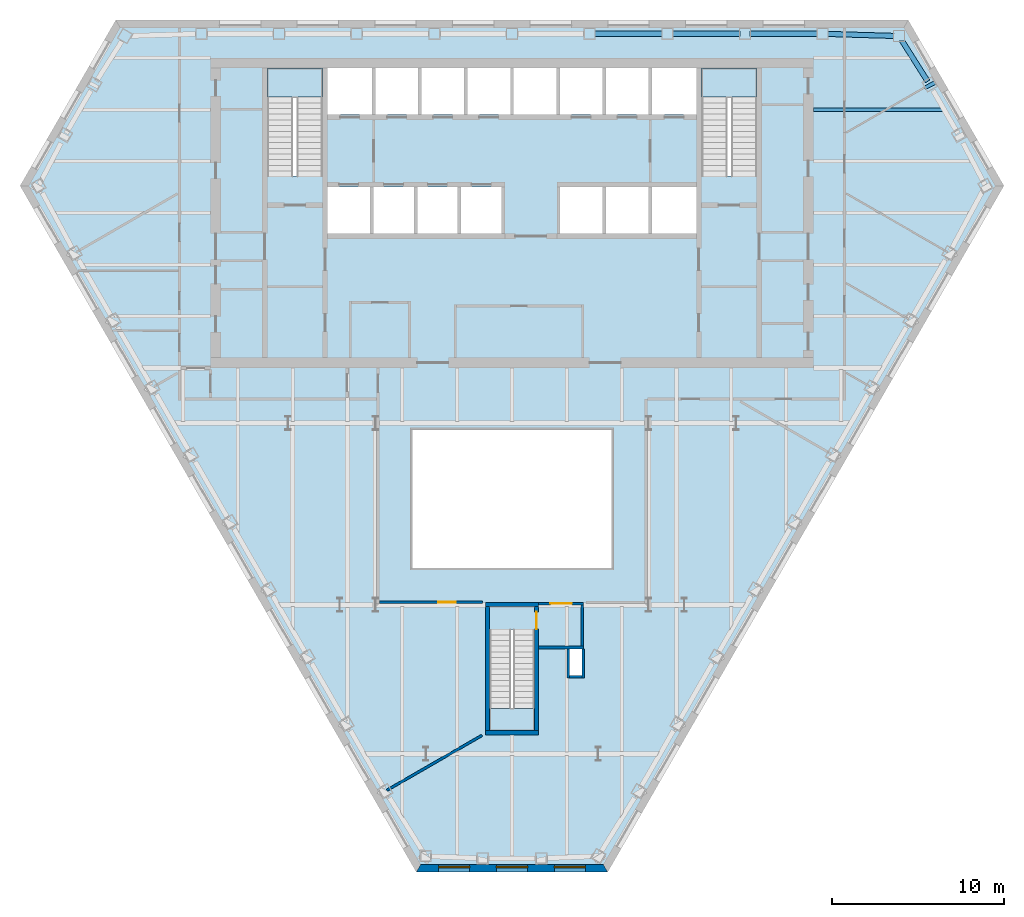
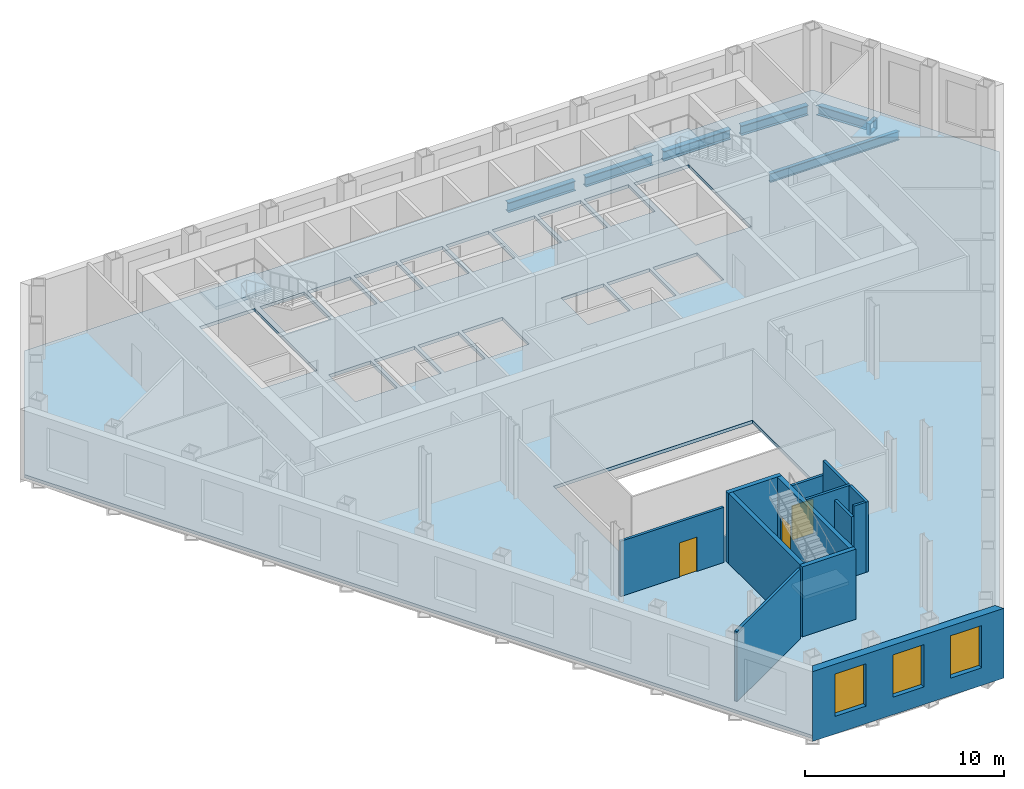
# One storey, part 4 of 12: 13 walls, 7 beams, 4 slabs, 3 doors, 3 windows, 6 openings, 3 elements without a shape of their own.
"""IFC4 building model written with IfcOpenShell, lengths in metres."""

from ifc_helpers import new_model, si_unit, direction, frame, frame_2d, origin, origin_2d, place, context, subcontext, project, spatial, polyline, rectangle, hollow_rectangle, i_section, outline, extrude, clip, halfspace, material, layer, layer_set, material_profile, profile_set, type_object, element, fill, aggregate, save


model = new_model("IFC4")

# Units and contexts
model_context = context("Model", 3, precision=1e-05, world=origin(), true_north=direction((0.0, 1.0)))
body_context = subcontext(model_context, "Body", "Model", "MODEL_VIEW")
ifc_project = project(units=[si_unit("LENGTHUNIT", "METRE"), si_unit("AREAUNIT", "SQUARE_METRE"), si_unit("VOLUMEUNIT", "CUBIC_METRE"), si_unit("PLANEANGLEUNIT", "RADIAN"), si_unit("MASSUNIT", "GRAM", prefix="KILO")], contexts=[model_context])

# Site, building, storey
site_placement = place(None, origin())
site = spatial("IfcSite", under=ifc_project, at=site_placement, CompositionType="ELEMENT")
building_placement = place(site_placement, origin())
building = spatial("IfcBuilding", under=site, at=building_placement, Name="Njiva Tower", CompositionType="ELEMENT")
storey_placement = place(building_placement, frame((0.0, 0.0, 60.3)))
storey = spatial("IfcBuildingStorey", under=building, at=storey_placement, Name="L12", CompositionType="ELEMENT", Elevation=60.3)

# Beams
ifc_material_1 = material(Name="Steel S355 J2", Category="steel")
ifc_material_profile_1 = material_profile(ifc_material_1, i_section(OverallWidth=0.21, OverallDepth=0.55, WebThickness=0.0111, FlangeThickness=0.0172, at=origin_2d()), Name="IPE 550")
ifc_profile_set_1 = profile_set([ifc_material_profile_1], Name="Steel S355 J2")
beam_type_1 = type_object("IfcBeamType", Name="B10 Floor beam to the core IPE 550", PredefinedType="BEAM", material=ifc_profile_set_1)
beam_1_placement = place(storey_placement, frame((17.5, 15.0, -0.475), z_axis=(1.0, 0.0, 0.0), x_axis=(0.0, 1.0, 0.0)))
element("IfcBeam", 1, at=beam_1_placement, inside=storey, type_object=beam_type_1, Name="Floor beam to the core S04-B013", PredefinedType="BEAM", context=body_context, shape_type="Clipping", body=[
    clip(extrude(i_section(OverallWidth=0.21, OverallDepth=0.55, WebThickness=0.0111, FlangeThickness=0.0172, at=origin_2d()), origin(), (0.0, 0.0, 1.0), 7.549), halfspace(frame((0.025, 0.0, 7.4536), z_axis=(0.499998009787, 0.0, 0.866026552831), x_axis=(0.0, 1.0, 0.0)), False)),
])
ifc_material_profile_2 = material_profile(ifc_material_1, hollow_rectangle(XDim=0.7, YDim=0.7, WallThickness=0.08, at=origin_2d()), Name="BOX 700x700x80")
ifc_profile_set_2 = profile_set([ifc_material_profile_2], Name="Steel S355 J2")
beam_type_2 = type_object("IfcBeamType", Name="B19 Column jog beam BOX 700x700x80", PredefinedType="BEAM", material=ifc_profile_set_2)
beam_2_placement = place(storey_placement, frame((24.314, 16.32, -0.55), z_axis=(-0.465556443954, 0.885018190487, 0.0), x_axis=(-0.885018190487, -0.465556443954, 0.0)))
element("IfcBeam", 2, at=beam_2_placement, inside=storey, type_object=beam_type_2, Name="Column jog beam S04-B056", PredefinedType="BEAM", context=body_context, shape_type="SweptSolid", body=[
    extrude(hollow_rectangle(XDim=0.7, YDim=0.7, WallThickness=0.08, at=origin_2d()), origin(), (0.0, 0.0, 1.0), 0.2169),
])
ifc_material_profile_3 = material_profile(ifc_material_1, i_section(OverallWidth=0.3, OverallDepth=0.6, WebThickness=0.0155, FlangeThickness=0.03, at=origin_2d()), Name="HEB 600")
ifc_profile_set_3 = profile_set([ifc_material_profile_3], Name="Steel S355 J2")
beam_type_3 = type_object("IfcBeamType", Name="B3 Short-span spandrel beam HEB 600", PredefinedType="SPANDREL", material=ifc_profile_set_3)
beam_3_placement = place(storey_placement, frame((22.157, 19.276, -0.5), z_axis=(-0.999547870884, 0.030067487615, 0.0), x_axis=(-0.030067487615, -0.999547870884, 0.0)))
element("IfcBeam", 3, at=beam_3_placement, inside=storey, type_object=beam_type_3, Name="Short-span spandrel beam S04-B159", PredefinedType="SPANDREL", context=body_context, shape_type="SweptSolid", body=[
    extrude(i_section(OverallWidth=0.3, OverallDepth=0.6, WebThickness=0.0155, FlangeThickness=0.03, at=origin_2d()), origin(), (0.0, 0.0, 1.0), 3.8247),
])
beam_4_placement = place(storey_placement, frame((17.73, 19.4, -0.5), z_axis=(-1.0, 0.0, 0.0), x_axis=(0.0, -1.0, 0.0)))
element("IfcBeam", 4, at=beam_4_placement, inside=storey, type_object=beam_type_3, Name="Short-span spandrel beam S04-B153", PredefinedType="SPANDREL", context=body_context, shape_type="SweptSolid", body=[
    extrude(i_section(OverallWidth=0.3, OverallDepth=0.6, WebThickness=0.0155, FlangeThickness=0.03, at=origin_2d()), origin(), (0.0, 0.0, 1.0), 3.907),
])
beam_5_placement = place(storey_placement, frame((13.223, 19.4, -0.5), z_axis=(-1.0, 0.0, 0.0), x_axis=(0.0, -1.0, 0.0)))
element("IfcBeam", 5, at=beam_5_placement, inside=storey, type_object=beam_type_3, Name="Short-span spandrel beam S04-B147", PredefinedType="SPANDREL", context=body_context, shape_type="SweptSolid", body=[
    extrude(i_section(OverallWidth=0.3, OverallDepth=0.6, WebThickness=0.0155, FlangeThickness=0.03, at=origin_2d()), origin(), (0.0, 0.0, 1.0), 3.908),
])
beam_6_placement = place(storey_placement, frame((8.715, 19.4, -0.5), z_axis=(-1.0, 0.0, 0.0), x_axis=(0.0, -1.0, 0.0)))
element("IfcBeam", 6, at=beam_6_placement, inside=storey, type_object=beam_type_3, Name="Short-span spandrel beam S04-B142", PredefinedType="SPANDREL", context=body_context, shape_type="SweptSolid", body=[
    extrude(i_section(OverallWidth=0.3, OverallDepth=0.6, WebThickness=0.0155, FlangeThickness=0.03, at=origin_2d()), origin(), (0.0, 0.0, 1.0), 3.907),
])
beam_7_placement = place(storey_placement, frame((24.13, 16.635, -0.5), z_axis=(-0.534292989295, 0.845299356199, 0.0), x_axis=(-0.845299356199, -0.534292989295, 0.0)))
element("IfcBeam", 7, at=beam_7_placement, inside=storey, type_object=beam_type_3, Name="Short-span spandrel beam S04-B166", PredefinedType="SPANDREL", context=body_context, shape_type="Clipping", body=[
    clip(extrude(i_section(OverallWidth=0.3, OverallDepth=0.6, WebThickness=0.0155, FlangeThickness=0.03, at=origin_2d()), origin(), (0.0, 0.0, 1.0), 2.8738), halfspace(frame((-0.0265, 0.0, 2.742), z_axis=(-0.534292989295, 0.0, 0.845299356199), x_axis=(0.0, 1.0, 0.0)), False)),
])

# Stair, slab
ifc_material_2 = material(Name="Concrete C40/50", Category="concrete")
stair_type_1 = type_object("IfcStairType", Name="ST4 Exit stair 1500", PredefinedType="HALF_TURN_STAIR", material=ifc_material_2)
stair_1_placement = place(storey_placement, origin())
stair_1 = element("IfcStair", 8, at=stair_1_placement, inside=storey, type_object=stair_type_1, Name="Stair A", PredefinedType="HALF_TURN_STAIR")
ifc_layer_1 = layer(ifc_material_2, 0.2)
ifc_layer_set_1 = layer_set([ifc_layer_1], Name="Concrete C40/50")
slab_type_1 = type_object("IfcSlabType", Name="FL9 Stair landing 200", PredefinedType="LANDING", material=ifc_layer_set_1)
slab_1_placement = place(storey_placement, frame((0.0, 0.0, 2.05)))
slab_1 = element("IfcSlab", 9, at=slab_1_placement, type_object=slab_type_1, Name="ST-A landing 1", PredefinedType="LANDING", context=body_context, shape_type="SweptSolid", body=[
    extrude(outline(polyline([(-14.206, 15.72), (-10.994, 15.72), (-10.994, 17.4), (-14.206, 17.4), (-14.206, 15.72)])), origin(), (0.0, 0.0, 1.0), 0.2),
])
aggregate(stair_1, [slab_1])

stair_2_placement = place(storey_placement, origin())
stair_2 = element("IfcStair", 10, at=stair_2_placement, inside=storey, type_object=stair_type_1, Name="Stair B", PredefinedType="HALF_TURN_STAIR")
slab_2_placement = place(storey_placement, frame((0.0, 0.0, 2.05)))
slab_2 = element("IfcSlab", 11, at=slab_2_placement, type_object=slab_type_1, Name="ST-B landing 1", PredefinedType="LANDING", context=body_context, shape_type="SweptSolid", body=[
    extrude(outline(polyline([(10.994, 15.72), (14.206, 15.72), (14.206, 17.4), (10.994, 17.4), (10.994, 15.72)])), origin(), (0.0, 0.0, 1.0), 0.2),
])
aggregate(stair_2, [slab_2])

stair_type_2 = type_object("IfcStairType", Name="ST1 Exit stair 1250", PredefinedType="HALF_TURN_STAIR", material=ifc_material_2)
stair_3_placement = place(storey_placement, origin())
stair_3 = element("IfcStair", 12, at=stair_3_placement, inside=storey, type_object=stair_type_2, Name="Stair C", PredefinedType="HALF_TURN_STAIR")
slab_3_placement = place(storey_placement, frame((0.0, 0.0, 2.05)))
slab_3 = element("IfcSlab", 13, at=slab_3_placement, type_object=slab_type_1, Name="ST-C landing 1", PredefinedType="LANDING", context=body_context, shape_type="SweptSolid", body=[
    extrude(outline(polyline([(-1.306, -21.05), (1.306, -21.05), (1.306, -19.78), (-1.306, -19.78), (-1.306, -21.05)])), origin(), (0.0, 0.0, 1.0), 0.2),
])
aggregate(stair_3, [slab_3])

# Slab
ifc_material_3 = material(Name="Concrete C30/37", Category="concrete")
ifc_layer_2 = layer(ifc_material_3, 0.2)
ifc_layer_set_2 = layer_set([ifc_layer_2], Name="Concrete C30/37")
slab_type_2 = type_object("IfcSlabType", Name="SL16 Composite floor slab 200", PredefinedType="FLOOR", material=ifc_layer_set_2)
slab_4_placement = place(storey_placement, frame((0.0, 0.0, -0.2)))
element("IfcSlab", 14, at=slab_4_placement, inside=storey, type_object=slab_type_2, Name="Floor slab L12", PredefinedType="FLOOR", context=body_context, shape_type="SweptSolid", body=[
    extrude(outline(polyline([(28.3002, 10.5785), (5.4251, -29.0424), (-5.4251, -29.0424), (-28.3002, 10.5785), (-22.8751, 19.975), (22.8751, 19.975), (28.3002, 10.5785)]), holes=[polyline([(10.994, 11.13), (14.206, 11.13), (14.206, 17.4), (10.994, 17.4), (10.994, 11.13)]), polyline([(8.125, 17.4), (8.125, 14.7), (10.7, 14.7), (10.7, 17.4), (8.125, 17.4)]), polyline([(8.1333, 10.5), (8.1333, 7.8), (10.7, 7.8), (10.7, 10.5), (8.1333, 10.5)]), polyline([(5.4667, 10.5), (5.4667, 7.8), (7.9333, 7.8), (7.9333, 10.5), (5.4667, 10.5)]), polyline([(5.45, 17.4), (5.45, 14.7), (7.925, 14.7), (7.925, 17.4), (5.45, 17.4)]), polyline([(5.78, -11.6), (5.78, -3.6), (-5.78, -3.6), (-5.78, -11.6), (5.78, -11.6)]), polyline([(2.8, 7.8), (5.2667, 7.8), (5.2667, 10.5), (2.8, 10.5), (2.8, 7.8)]), polyline([(2.775, 14.7), (5.25, 14.7), (5.25, 17.4), (2.775, 17.4), (2.775, 14.7)]), polyline([(3.35, -17.85), (4.05, -17.85), (4.05, -16.3), (3.35, -16.3), (3.35, -17.85)]), polyline([(0.1, 14.7), (2.575, 14.7), (2.575, 17.4), (0.1, 17.4), (0.1, 14.7)]), polyline([(-1.306, -21.05), (1.306, -21.05), (1.306, -15.19), (-1.306, -15.19), (-1.306, -21.05)]), polyline([(-2.575, 17.4), (-2.575, 14.7), (-0.1, 14.7), (-0.1, 17.4), (-2.575, 17.4)]), polyline([(-2.95, 10.5), (-2.95, 7.8), (-0.6, 7.8), (-0.6, 10.5), (-2.95, 10.5)]), polyline([(-5.25, 17.4), (-5.25, 14.7), (-2.775, 14.7), (-2.775, 17.4), (-5.25, 17.4)]), polyline([(-5.5, 10.5), (-5.5, 7.8), (-3.15, 7.8), (-3.15, 10.5), (-5.5, 10.5)]), polyline([(-7.925, 14.7), (-5.45, 14.7), (-5.45, 17.4), (-7.925, 17.4), (-7.925, 14.7)]), polyline([(-8.05, 7.8), (-5.7, 7.8), (-5.7, 10.5), (-8.05, 10.5), (-8.05, 7.8)]), polyline([(-10.7, 14.7), (-8.125, 14.7), (-8.125, 17.4), (-10.7, 17.4), (-10.7, 14.7)]), polyline([(-10.7, 7.8), (-8.25, 7.8), (-8.25, 10.5), (-10.7, 10.5), (-10.7, 7.8)]), polyline([(-14.206, 11.13), (-10.994, 11.13), (-10.994, 17.4), (-14.206, 17.4), (-14.206, 11.13)])]), origin(), (0.0, 0.0, 1.0), 0.2),
])

# Wall, opening, door
ifc_material_4 = material(Name="Gypsum board on steel studs", Category="gypsum")
ifc_layer_3 = layer(ifc_material_4, 0.15)
ifc_layer_set_3 = layer_set([ifc_layer_3], Name="Gypsum board on steel studs")
wall_type_1 = type_object("IfcWallType", Name="WT21 Compartment wall 150", PredefinedType="PARTITIONING", material=ifc_layer_set_3)
wall_1_placement = place(storey_placement, frame((-7.705, -13.6, 0.0), z_axis=(0.0, 0.0, 1.0), x_axis=(1.0, 0.0, 0.0)))
wall_1 = element("IfcWall", 15, at=wall_1_placement, inside=storey, type_object=wall_type_1, Name="Partition S04-P011", PredefinedType="PARTITIONING", context=body_context, shape_type="SweptSolid", body=[
    extrude(rectangle(XDim=6.005, YDim=0.15, at=frame_2d((3.0025, 0.0))), origin(), (0.0, 0.0, 1.0), 3.39),
])
opening_1_placement = place(wall_1_placement, frame((3.434, 0.0, 0.0)))
opening_1 = element("IfcOpeningElement", 16, at=opening_1_placement, cuts=wall_1, Name="Opening S04-D009", PredefinedType="OPENING", context=body_context, shape_type="SweptSolid", body=[
    extrude(rectangle(XDim=1.0, YDim=2.1, at=frame_2d((0.5, 1.05))), frame((0.0, 0.085, 0.0), z_axis=(0.0, -1.0, 0.0), x_axis=(1.0, 0.0, 0.0)), (0.0, 0.0, 1.0), 0.17),
])
ifc_material_5 = material(Name="Steel fire door set", Category="steel")
door_type_1 = type_object("IfcDoorType", Name="D37 Fire door 1000x2100", OperationType="SINGLE_SWING_LEFT", PredefinedType="DOOR", material=ifc_material_5)
door_1_placement = place(opening_1_placement, origin())
door_1 = element("IfcDoor", 17, at=door_1_placement, inside=storey, type_object=door_type_1, Name="Door S04-D009", OperationType="SINGLE_SWING_RIGHT", OverallHeight=2.1, OverallWidth=1.0, PredefinedType="DOOR", context=body_context, shape_type="SweptSolid", body=[
    extrude(rectangle(XDim=1.0, YDim=2.1, at=frame_2d((0.5, 1.05))), frame((0.0, 0.025, 0.0), z_axis=(0.0, -1.0, 0.0), x_axis=(1.0, 0.0, 0.0)), (0.0, 0.0, 1.0), 0.05),
])
fill(opening_1, door_1)

# Walls
wall_2_placement = place(storey_placement, frame((-7.261, -24.512, 0.0), z_axis=(0.0, 0.0, 1.0), x_axis=(0.866112488944, 0.499849133735, 0.0)))
element("IfcWall", 18, at=wall_2_placement, inside=storey, type_object=wall_type_1, Name="Partition S04-P012", PredefinedType="PARTITIONING", context=body_context, shape_type="SweptSolid", body=[
    extrude(rectangle(XDim=6.3779, YDim=0.15, at=frame_2d((3.189, 0.0))), origin(), (0.0, 0.0, 1.0), 4.3),
])
ifc_material_6 = material(Name="Blockwork", Category="masonry")
ifc_layer_4 = layer(ifc_material_6, 0.15)
ifc_layer_set_4 = layer_set([ifc_layer_4], Name="Blockwork")
wall_type_2 = type_object("IfcWallType", Name="WT4 Stair partition 150", PredefinedType="PARTITIONING", material=ifc_layer_set_4)
wall_3_placement = place(storey_placement, frame((1.55, -16.225, 0.0), z_axis=(0.0, 0.0, 1.0), x_axis=(1.0, 0.0, 0.0)))
element("IfcWall", 19, at=wall_3_placement, inside=storey, type_object=wall_type_2, Name="Stair C vestibule wall south", PredefinedType="PARTITIONING", context=body_context, shape_type="SweptSolid", body=[
    extrude(rectangle(XDim=2.6, YDim=0.15, at=frame_2d((1.3, 0.0))), origin(), (0.0, 0.0, 1.0), 4.3),
])
wall_4_placement = place(storey_placement, frame((4.075, -16.15, 0.0), z_axis=(0.0, 0.0, 1.0), x_axis=(0.0, 1.0, 0.0)))
element("IfcWall", 20, at=wall_4_placement, inside=storey, type_object=wall_type_2, Name="Stair C vestibule wall east", PredefinedType="PARTITIONING", context=body_context, shape_type="SweptSolid", body=[
    extrude(rectangle(XDim=2.4, YDim=0.15, at=frame_2d((1.2, 0.0))), origin(), (0.0, 0.0, 1.0), 4.3),
])

# Wall, opening, door
wall_5_placement = place(storey_placement, frame((1.55, -13.675, 0.0), z_axis=(0.0, 0.0, 1.0), x_axis=(1.0, 0.0, 0.0)))
wall_5 = element("IfcWall", 21, at=wall_5_placement, inside=storey, type_object=wall_type_2, Name="Stair C vestibule wall north", PredefinedType="PARTITIONING", context=body_context, shape_type="SweptSolid", body=[
    extrude(rectangle(XDim=2.6, YDim=0.15, at=frame_2d((1.3, 0.0))), origin(), (0.0, 0.0, 1.0), 3.39),
])
opening_2_placement = place(wall_5_placement, frame((0.675, 0.0, 0.0)))
opening_2 = element("IfcOpeningElement", 22, at=opening_2_placement, cuts=wall_5, Name="Opening S04-D938", PredefinedType="OPENING", context=body_context, shape_type="SweptSolid", body=[
    extrude(rectangle(XDim=1.25, YDim=2.1, at=frame_2d((0.625, 1.05))), frame((0.0, 0.085, 0.0), z_axis=(0.0, -1.0, 0.0), x_axis=(1.0, 0.0, 0.0)), (0.0, 0.0, 1.0), 0.17),
])
ifc_material_7 = material(Name="Glazed steel fire door", Category="steel")
door_type_2 = type_object("IfcDoorType", Name="D8 Vestibule corridor door 1250x2100 glazed", OperationType="SINGLE_SWING_LEFT", PredefinedType="DOOR", material=ifc_material_7)
door_2_placement = place(opening_2_placement, origin())
door_2 = element("IfcDoor", 23, at=door_2_placement, inside=storey, type_object=door_type_2, Name="Stair vestibule corridor door", OperationType="SINGLE_SWING_RIGHT", OverallHeight=2.1, OverallWidth=1.25, PredefinedType="DOOR", context=body_context, shape_type="SweptSolid", body=[
    extrude(rectangle(XDim=1.25, YDim=2.1, at=frame_2d((0.625, 1.05))), frame((0.0, 0.025, 0.0), z_axis=(0.0, -1.0, 0.0), x_axis=(1.0, 0.0, 0.0)), (0.0, 0.0, 1.0), 0.05),
])
fill(opening_2, door_2)

# Walls
wall_6_placement = place(storey_placement, frame((3.275, -18.0, 0.0), z_axis=(0.0, 0.0, 1.0), x_axis=(0.0, 1.0, 0.0)))
element("IfcWall", 24, at=wall_6_placement, inside=storey, type_object=wall_type_2, Name="Stair C pressurisation shaft wall", PredefinedType="PARTITIONING", context=body_context, shape_type="SweptSolid", body=[
    extrude(rectangle(XDim=1.7, YDim=0.15, at=frame_2d((0.85, 0.0))), origin(), (0.0, 0.0, 1.0), 3.7),
])
wall_7_placement = place(storey_placement, frame((3.35, -17.925, 0.0), z_axis=(0.0, 0.0, 1.0), x_axis=(1.0, 0.0, 0.0)))
element("IfcWall", 25, at=wall_7_placement, inside=storey, type_object=wall_type_2, Name="Stair C pressurisation shaft wall", PredefinedType="PARTITIONING", context=body_context, shape_type="SweptSolid", body=[
    extrude(rectangle(XDim=0.7, YDim=0.15, at=frame_2d((0.35, 0.0))), origin(), (0.0, 0.0, 1.0), 4.3),
])
wall_8_placement = place(storey_placement, frame((4.125, -18.0, 0.0), z_axis=(0.0, 0.0, 1.0), x_axis=(0.0, 1.0, 0.0)))
element("IfcWall", 26, at=wall_8_placement, inside=storey, type_object=wall_type_2, Name="Stair C pressurisation shaft wall", PredefinedType="PARTITIONING", context=body_context, shape_type="SweptSolid", body=[
    extrude(rectangle(XDim=1.7, YDim=0.15, at=frame_2d((0.85, 0.0))), origin(), (0.0, 0.0, 1.0), 4.3),
])
ifc_layer_5 = layer(ifc_material_2, 0.25)
ifc_layer_set_5 = layer_set([ifc_layer_5], Name="Concrete C40/50")
wall_type_3 = type_object("IfcWallType", Name="WT9 Stair enclosure wall 250", PredefinedType="SHEAR", material=ifc_layer_set_5)
wall_9_placement = place(storey_placement, frame((-1.425, -21.05, 0.0), z_axis=(0.0, 0.0, 1.0), x_axis=(0.0, 1.0, 0.0)))
element("IfcWall", 27, at=wall_9_placement, inside=storey, type_object=wall_type_3, Name="Stair C wall west", PredefinedType="SHEAR", context=body_context, shape_type="SweptSolid", body=[
    extrude(rectangle(XDim=7.2, YDim=0.25, at=frame_2d((3.6, 0.0))), origin(), (0.0, 0.0, 1.0), 4.3),
])

# Wall, opening, door
wall_10_placement = place(storey_placement, frame((1.425, -21.05, 0.0), z_axis=(0.0, 0.0, 1.0), x_axis=(0.0, 1.0, 0.0)))
wall_10 = element("IfcWall", 28, at=wall_10_placement, inside=storey, type_object=wall_type_3, Name="Stair C wall east", PredefinedType="SHEAR", context=body_context, shape_type="SweptSolid", body=[
    extrude(rectangle(XDim=7.2, YDim=0.25, at=frame_2d((3.6, 0.0))), origin(), (0.0, 0.0, 1.0), 4.3),
])
opening_3_placement = place(wall_10_placement, frame((5.89, 0.0, 0.0)))
opening_3 = element("IfcOpeningElement", 29, at=opening_3_placement, cuts=wall_10, Name="Opening S04-D937", PredefinedType="OPENING", context=body_context, shape_type="SweptSolid", body=[
    extrude(rectangle(XDim=1.0, YDim=2.1, at=frame_2d((0.5, 1.05))), frame((0.0, 0.135, 0.0), z_axis=(0.0, -1.0, 0.0), x_axis=(1.0, 0.0, 0.0)), (0.0, 0.0, 1.0), 0.27),
])
door_type_3 = type_object("IfcDoorType", Name="D9 Stair vestibule door 1000x2100 glazed", OperationType="SINGLE_SWING_LEFT", PredefinedType="DOOR", material=ifc_material_7)
door_3_placement = place(opening_3_placement, origin())
door_3 = element("IfcDoor", 30, at=door_3_placement, inside=storey, type_object=door_type_3, Name="Stair C door", OperationType="SINGLE_SWING_LEFT", OverallHeight=2.1, OverallWidth=1.0, PredefinedType="DOOR", context=body_context, shape_type="SweptSolid", body=[
    extrude(rectangle(XDim=1.0, YDim=2.1, at=frame_2d((0.5, 1.05))), frame((0.0, 0.025, 0.0), z_axis=(0.0, -1.0, 0.0), x_axis=(1.0, 0.0, 0.0)), (0.0, 0.0, 1.0), 0.05),
])
fill(opening_3, door_3)

# Walls
for number, where, z_axis, x_axis, name in (
    (31, (-1.55, -21.175, 0.0), (0.0, 0.0, 1.0), (1.0, 0.0, 0.0), "Stair C wall south"),
    (32, (-1.55, -13.725, 0.0), (0.0, 0.0, 1.0), (1.0, 0.0, 0.0), "Stair C wall north"),
):
    element("IfcWall", number, at=place(storey_placement, frame(where, z_axis=z_axis, x_axis=x_axis)), inside=storey, type_object=wall_type_3, Name=name, PredefinedType="SHEAR", context=body_context, shape_type="SweptSolid", body=[
        extrude(rectangle(XDim=3.1, YDim=0.25, at=frame_2d((1.55, 0.0))), origin(), (0.0, 0.0, 1.0), 4.3),
    ])

# Wall, openings, windows
ifc_material_8 = material(Name="Brick masonry, buff", Category="masonry")
ifc_layer_6 = layer(ifc_material_8, 0.45)
ifc_layer_set_6 = layer_set([ifc_layer_6], Name="Brick masonry, buff")
wall_type_4 = type_object("IfcWallType", Name="WT94 Brick pier and spandrel wall 450, buff", PredefinedType="SOLIDWALL", material=ifc_layer_set_6)
wall_11_placement = place(storey_placement, frame((-5.4251, -29.0424, -0.18), z_axis=(0.0, 0.0, 1.0), x_axis=(1.0, 0.0, 0.0)))
wall_11 = element("IfcWall", 33, at=wall_11_placement, inside=storey, type_object=wall_type_4, Name="Facade wall S", PredefinedType="SOLIDWALL", context=body_context, shape_type="SweptSolid", body=[
    extrude(outline(polyline([(-0.1299, -0.225), (10.9801, -0.225), (10.7203, 0.225), (0.1299, 0.225), (-0.1299, -0.225)])), origin(), (0.0, 0.0, 1.0), 4.28),
])
opening_4_placement = place(wall_11_placement, frame((1.1681, 0.0, 1.08)))
opening_4 = element("IfcOpeningElement", 34, at=opening_4_placement, cuts=wall_11, Name="Opening S04-W22", PredefinedType="OPENING", context=body_context, shape_type="SweptSolid", body=[
    extrude(rectangle(XDim=1.8, YDim=2.6, at=frame_2d((0.9, 1.3))), frame((0.0, 0.235, 0.0), z_axis=(0.0, -1.0, 0.0), x_axis=(1.0, 0.0, 0.0)), (0.0, 0.0, 1.0), 0.47),
])
opening_5_placement = place(wall_11_placement, frame((4.5251, 0.0, 1.08)))
opening_5 = element("IfcOpeningElement", 35, at=opening_5_placement, cuts=wall_11, Name="Opening S04-W23", PredefinedType="OPENING", context=body_context, shape_type="SweptSolid", body=[
    extrude(rectangle(XDim=1.8, YDim=2.6, at=frame_2d((0.9, 1.3))), frame((0.0, 0.235, 0.0), z_axis=(0.0, -1.0, 0.0), x_axis=(1.0, 0.0, 0.0)), (0.0, 0.0, 1.0), 0.47),
])
opening_6_placement = place(wall_11_placement, frame((7.8821, 0.0, 1.08)))
opening_6 = element("IfcOpeningElement", 36, at=opening_6_placement, cuts=wall_11, Name="Opening S04-W24", PredefinedType="OPENING", context=body_context, shape_type="SweptSolid", body=[
    extrude(rectangle(XDim=1.8, YDim=2.6, at=frame_2d((0.9, 1.3))), frame((0.0, 0.235, 0.0), z_axis=(0.0, -1.0, 0.0), x_axis=(1.0, 0.0, 0.0)), (0.0, 0.0, 1.0), 0.47),
])
ifc_material_9 = material(Name="Clear glazing in aluminium frame", Category="aluminium")
window_type = type_object("IfcWindowType", Name="W96 Deep-set window 1800x2600", PartitioningType="SINGLE_PANEL", PredefinedType="WINDOW", material=ifc_material_9)
window_1_placement = place(opening_4_placement, origin())
window_1 = element("IfcWindow", 37, at=window_1_placement, inside=storey, type_object=window_type, Name="Window", OverallHeight=2.6, OverallWidth=1.8, PartitioningType="SINGLE_PANEL", PredefinedType="WINDOW", context=body_context, shape_type="SweptSolid", body=[
    extrude(rectangle(XDim=1.8, YDim=2.6, at=frame_2d((0.9, 1.3))), frame((0.0, 0.105, 0.0), z_axis=(0.0, -1.0, 0.0), x_axis=(1.0, 0.0, 0.0)), (0.0, 0.0, 1.0), 0.06),
])
fill(opening_4, window_1)
window_2_placement = place(opening_5_placement, origin())
window_2 = element("IfcWindow", 38, at=window_2_placement, inside=storey, type_object=window_type, Name="Window", OverallHeight=2.6, OverallWidth=1.8, PartitioningType="SINGLE_PANEL", PredefinedType="WINDOW", context=body_context, shape_type="SweptSolid", body=[
    extrude(rectangle(XDim=1.8, YDim=2.6, at=frame_2d((0.9, 1.3))), frame((0.0, 0.105, 0.0), z_axis=(0.0, -1.0, 0.0), x_axis=(1.0, 0.0, 0.0)), (0.0, 0.0, 1.0), 0.06),
])
fill(opening_5, window_2)
window_3_placement = place(opening_6_placement, origin())
window_3 = element("IfcWindow", 39, at=window_3_placement, inside=storey, type_object=window_type, Name="Window", OverallHeight=2.6, OverallWidth=1.8, PartitioningType="SINGLE_PANEL", PredefinedType="WINDOW", context=body_context, shape_type="SweptSolid", body=[
    extrude(rectangle(XDim=1.8, YDim=2.6, at=frame_2d((0.9, 1.3))), frame((0.0, 0.105, 0.0), z_axis=(0.0, -1.0, 0.0), x_axis=(1.0, 0.0, 0.0)), (0.0, 0.0, 1.0), 0.06),
])
fill(opening_6, window_3)

save(model, "model.ifc")
